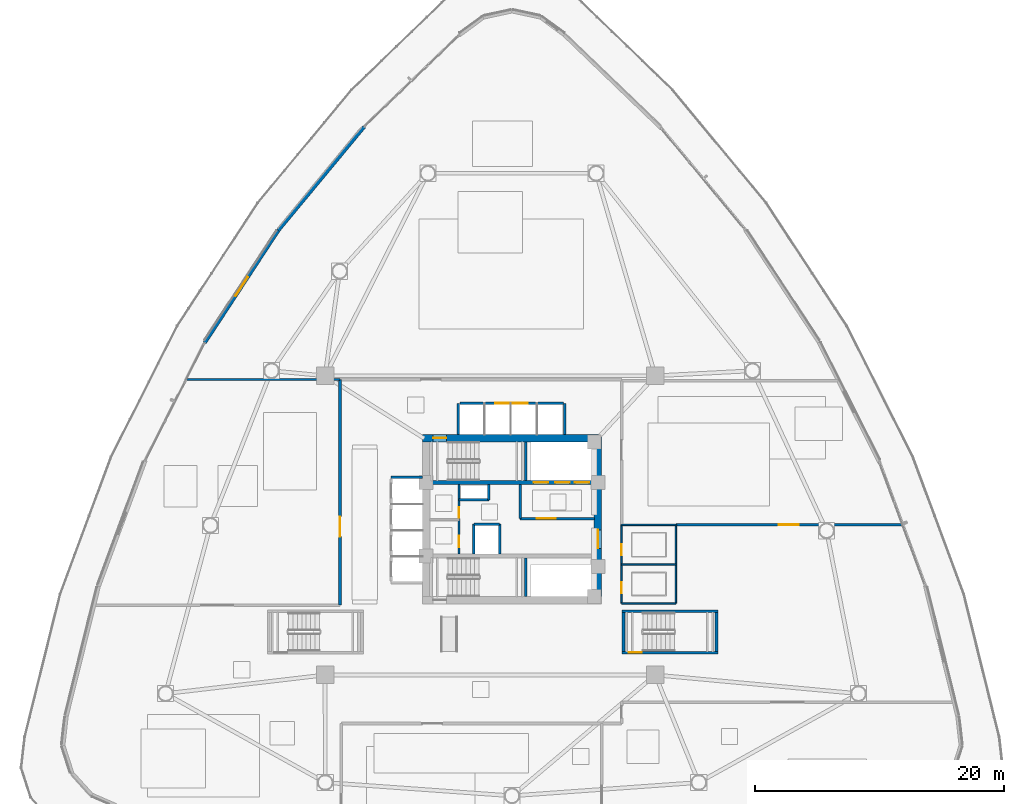
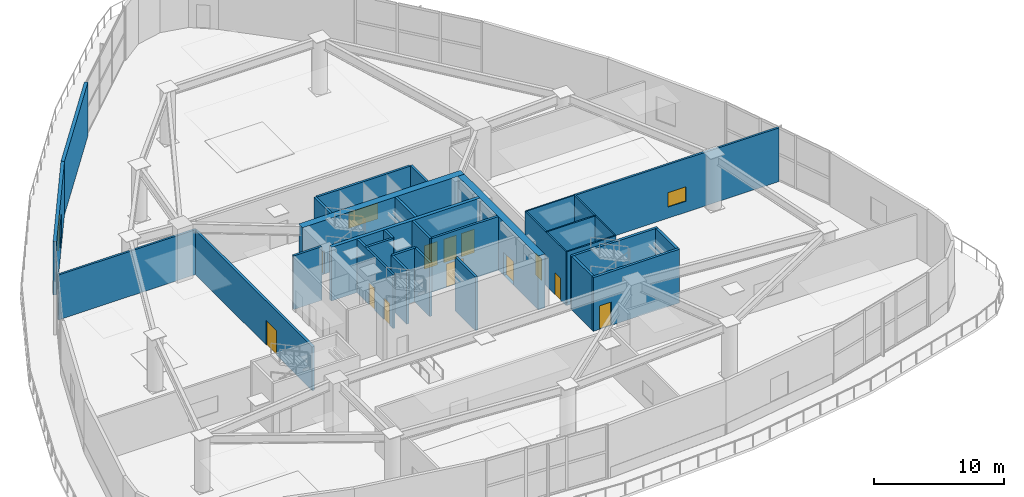
# One storey, part 14 of 25: 31 walls, 12 doors, 3 windows, 15 openings.
"""IFC4 building model written with IfcOpenShell, lengths in metres."""

from ifc_helpers import new_model, si_unit, direction, frame, frame_2d, origin, place, context, subcontext, project, spatial, rectangle, extrude, material, layer, layer_set, type_object, element, fill, save


model = new_model("IFC4")

# Units and contexts
model_context = context("Model", 3, precision=1e-05, world=origin(), true_north=direction((0.0, 1.0)))
body_context = subcontext(model_context, "Body", "Model", "MODEL_VIEW")
ifc_project = project(units=[si_unit("LENGTHUNIT", "METRE"), si_unit("AREAUNIT", "SQUARE_METRE"), si_unit("VOLUMEUNIT", "CUBIC_METRE"), si_unit("PLANEANGLEUNIT", "RADIAN"), si_unit("MASSUNIT", "GRAM", prefix="KILO")], contexts=[model_context])

# Site, building, storey
site_placement = place(None, origin())
site = spatial("IfcSite", under=ifc_project, at=site_placement, CompositionType="ELEMENT")
building_placement = place(site_placement, origin())
building = spatial("IfcBuilding", under=site, at=building_placement, Name="Tavelor Broadcast Tower", CompositionType="ELEMENT")
storey_placement = place(building_placement, frame((0.0, 0.0, 11.39990234375)))
storey = spatial("IfcBuildingStorey", under=building, at=storey_placement, Name="L02", CompositionType="ELEMENT", Elevation=11.39990234375)

# Wall, opening, door
ifc_material_1 = material(Name="Concrete C60/75", Category="concrete")
ifc_layer_1 = layer(ifc_material_1, 0.60009765625)
ifc_layer_set_1 = layer_set([ifc_layer_1], Name="Concrete C60/75")
wall_type_1 = type_object("IfcWallType", Name="Core Shear Wall 600 mm", PredefinedType="SHEAR", material=ifc_layer_set_1)
wall_1_placement = place(storey_placement, frame((42.800048828125, 51.5, 0.0), z_axis=(0.0, 0.0, 1.0), x_axis=(1.0, 0.0, 0.0)))
wall_1 = element("IfcWall", 1, at=wall_1_placement, inside=storey, type_object=wall_type_1, Name="L02 Central Core Shear Wall N", PredefinedType="SHEAR", context=body_context, shape_type="SweptSolid", body=[
    extrude(rectangle(XDim=14.39990234375, YDim=0.60009765625, at=frame_2d((7.199951171875, 0.0))), origin(), (0.0, 0.0, 1.0), 5.050048828125),
])
opening_1_placement = place(wall_1_placement, frame((0.8798828125, 0.0, 0.0)))
opening_1 = element("IfcOpeningElement", 2, at=opening_1_placement, cuts=wall_1, Name="Opening DR11", PredefinedType="OPENING", context=body_context, shape_type="SweptSolid", body=[
    extrude(rectangle(XDim=1.050048828125, YDim=2.199951171875, at=frame_2d((0.52490234375, 1.10009765625))), frame((0.0, 0.31005859375, 0.0), z_axis=(0.0, -1.0, 0.0), x_axis=(1.0, 0.0, 0.0)), (0.0, 0.0, 1.0), 0.6201171875),
])
ifc_material_2 = material(Name="Steel S355", Category="steel")
door_type_1 = type_object("IfcDoorType", Name="Stair Core Fire Escape Door 1050x2200", OperationType="NOTDEFINED", PredefinedType="DOOR", material=ifc_material_2)
door_1_placement = place(opening_1_placement, origin())
door_1 = element("IfcDoor", 3, at=door_1_placement, inside=storey, type_object=door_type_1, Name="L02 Stair ST1 Protected Exit Door", OperationType="SINGLE_SWING_LEFT", OverallHeight=2.199951171875, OverallWidth=1.050048828125, PredefinedType="DOOR", context=body_context, shape_type="SweptSolid", body=[
    extrude(rectangle(XDim=1.050048828125, YDim=2.199951171875, at=frame_2d((0.52490234375, 1.10009765625))), frame((0.0, 0.02490234375, 0.0), z_axis=(0.0, -1.0, 0.0), x_axis=(1.0, 0.0, 0.0)), (0.0, 0.0, 1.0), 0.050048828125),
])
fill(opening_1, door_1)

wall_2_placement = place(storey_placement, frame((56.89990234375, 38.800048828125, 0.0), z_axis=(0.0, 0.0, 1.0), x_axis=(0.0, 1.0, 0.0)))
wall_2 = element("IfcWall", 4, at=wall_2_placement, inside=storey, type_object=wall_type_1, Name="L02 Central Core Shear Wall E", PredefinedType="SHEAR", context=body_context, shape_type="SweptSolid", body=[
    extrude(rectangle(XDim=12.39990234375, YDim=0.60009765625, at=frame_2d((6.199951171875, 0.0))), origin(), (0.0, 0.0, 1.0), 5.050048828125),
])
opening_2_placement = place(wall_2_placement, frame((3.85009765625, 0.0, 0.0)))
opening_2 = element("IfcOpeningElement", 5, at=opening_2_placement, cuts=wall_2, Name="Opening DR14", PredefinedType="OPENING", context=body_context, shape_type="SweptSolid", body=[
    extrude(rectangle(XDim=1.5, YDim=2.199951171875, at=frame_2d((0.75, 1.10009765625))), frame((0.0, 0.31005859375, 0.0), z_axis=(0.0, -1.0, 0.0), x_axis=(1.0, 0.0, 0.0)), (0.0, 0.0, 1.0), 0.6201171875),
])
door_type_2 = type_object("IfcDoorType", Name="Firefighting Lobby Double Fire Door 1500x2200", OperationType="NOTDEFINED", PredefinedType="DOOR", material=ifc_material_2)
door_2_placement = place(opening_2_placement, origin())
door_2 = element("IfcDoor", 6, at=door_2_placement, inside=storey, type_object=door_type_2, Name="L02 Central Core Lobby Fire Door", OperationType="SINGLE_SWING_LEFT", OverallHeight=2.199951171875, OverallWidth=1.5, PredefinedType="DOOR", context=body_context, shape_type="SweptSolid", body=[
    extrude(rectangle(XDim=1.5, YDim=2.199951171875, at=frame_2d((0.75, 1.10009765625))), frame((0.0, 0.02490234375, 0.0), z_axis=(0.0, -1.0, 0.0), x_axis=(1.0, 0.0, 0.0)), (0.0, 0.0, 1.0), 0.050048828125),
])
fill(opening_2, door_2)

# Wall, openings, doors
ifc_layer_2 = layer(ifc_material_1, 0.300048828125)
ifc_layer_set_2 = layer_set([ifc_layer_2], Name="Concrete C60/75")
wall_type_2 = type_object("IfcWallType", Name="Core Spine Shear Wall 300 mm C60", PredefinedType="SHEAR", material=ifc_layer_set_2)
wall_3_placement = place(storey_placement, frame((43.39990234375, 47.949951171875, 0.0), z_axis=(0.0, 0.0, 1.0), x_axis=(1.0, 0.0, 0.0)))
wall_3 = element("IfcWall", 7, at=wall_3_placement, inside=storey, type_object=wall_type_2, Name="L02 Central Core Shear Wall SP1", PredefinedType="SHEAR", context=body_context, shape_type="SweptSolid", body=[
    extrude(rectangle(XDim=13.2001953125, YDim=0.300048828125, at=frame_2d((6.60009765625, 0.0))), origin(), (0.0, 0.0, 1.0), 5.050048828125),
])
opening_3_placement = place(wall_3_placement, frame((8.344970703125, 0.0, 0.0)))
opening_3 = element("IfcOpeningElement", 8, at=opening_3_placement, cuts=wall_3, Name="Opening LD02", PredefinedType="OPENING", context=body_context, shape_type="SweptSolid", body=[
    extrude(rectangle(XDim=1.14990234375, YDim=2.199951171875, at=frame_2d((0.574951171875, 1.10009765625))), frame((0.0, 0.16015625, 0.0), z_axis=(0.0, -1.0, 0.0), x_axis=(1.0, 0.0, 0.0)), (0.0, 0.0, 1.0), 0.320068359375),
])
opening_4_placement = place(wall_3_placement, frame((10.06494140625, 0.0, 0.0)))
opening_4 = element("IfcOpeningElement", 9, at=opening_4_placement, cuts=wall_3, Name="Opening LD02", PredefinedType="OPENING", context=body_context, shape_type="SweptSolid", body=[
    extrude(rectangle(XDim=1.14990234375, YDim=2.199951171875, at=frame_2d((0.574951171875, 1.10009765625))), frame((0.0, 0.16015625, 0.0), z_axis=(0.0, -1.0, 0.0), x_axis=(1.0, 0.0, 0.0)), (0.0, 0.0, 1.0), 0.320068359375),
])
opening_5_placement = place(wall_3_placement, frame((11.64501953125, 0.0, 0.0)))
opening_5 = element("IfcOpeningElement", 10, at=opening_5_placement, cuts=wall_3, Name="Opening LD03", PredefinedType="OPENING", context=body_context, shape_type="SweptSolid", body=[
    extrude(rectangle(XDim=1.14990234375, YDim=2.199951171875, at=frame_2d((0.574951171875, 1.10009765625))), frame((0.0, 0.16015625, 0.0), z_axis=(0.0, -1.0, 0.0), x_axis=(1.0, 0.0, 0.0)), (0.0, 0.0, 1.0), 0.320068359375),
])
ifc_material_3 = material(Name="Reinforced Brushed Stainless Steel", Category="concrete")
door_type_3 = type_object("IfcDoorType", Name="Broadcast Goods Lift Sliding Landing Door 1250x2200", OperationType="NOTDEFINED", PredefinedType="DOOR", material=ifc_material_3)
door_3_placement = place(opening_5_placement, origin())
door_3 = element("IfcDoor", 11, at=door_3_placement, inside=storey, type_object=door_type_3, Name="L02 Lift SVL1 Sliding Landing Door", OperationType="SLIDING_TO_LEFT", OverallHeight=2.199951171875, OverallWidth=1.14990234375, PredefinedType="DOOR", context=body_context, shape_type="SweptSolid", body=[
    extrude(rectangle(XDim=1.14990234375, YDim=2.199951171875, at=frame_2d((0.574951171875, 1.10009765625))), frame((0.0, 0.02490234375, 0.0), z_axis=(0.0, -1.0, 0.0), x_axis=(1.0, 0.0, 0.0)), (0.0, 0.0, 1.0), 0.050048828125),
])
fill(opening_5, door_3)
ifc_material_4 = material(Name="Fire-Rated Stainless Steel", Category="steel")
door_type_4 = type_object("IfcDoorType", Name="Firefighting Lift Sliding Landing Door 1200x2200", OperationType="NOTDEFINED", PredefinedType="DOOR", material=ifc_material_4)
door_4_placement = place(opening_3_placement, origin())
door_4 = element("IfcDoor", 12, at=door_4_placement, inside=storey, type_object=door_type_4, Name="L02 Lift FFL1 Sliding Landing Door", OperationType="SLIDING_TO_LEFT", OverallHeight=2.199951171875, OverallWidth=1.14990234375, PredefinedType="DOOR", context=body_context, shape_type="SweptSolid", body=[
    extrude(rectangle(XDim=1.14990234375, YDim=2.199951171875, at=frame_2d((0.574951171875, 1.10009765625))), frame((0.0, 0.02490234375, 0.0), z_axis=(0.0, -1.0, 0.0), x_axis=(1.0, 0.0, 0.0)), (0.0, 0.0, 1.0), 0.050048828125),
])
fill(opening_3, door_4)
door_5_placement = place(opening_4_placement, origin())
door_5 = element("IfcDoor", 13, at=door_5_placement, inside=storey, type_object=door_type_4, Name="L02 Lift FFL2 Sliding Landing Door", OperationType="SLIDING_TO_LEFT", OverallHeight=2.199951171875, OverallWidth=1.14990234375, PredefinedType="DOOR", context=body_context, shape_type="SweptSolid", body=[
    extrude(rectangle(XDim=1.14990234375, YDim=2.199951171875, at=frame_2d((0.574951171875, 1.10009765625))), frame((0.0, 0.02490234375, 0.0), z_axis=(0.0, -1.0, 0.0), x_axis=(1.0, 0.0, 0.0)), (0.0, 0.0, 1.0), 0.050048828125),
])
fill(opening_4, door_5)

ifc_material_5 = material(Name="Calcium Silicate Fire Board 180 mm", Category="gypsum")
ifc_layer_3 = layer(ifc_material_5, 0.179931640625)
ifc_layer_set_3 = layer_set([ifc_layer_3], Name="Calcium Silicate Fire Board 180 mm")
wall_type_3 = type_object("IfcWallType", Name="Fire-Rated Corridor Partition Wall 180 mm", PredefinedType="PARTITIONING", material=ifc_layer_set_3)
wall_4_placement = place(storey_placement, frame((45.75, 42.199951171875, 0.0), z_axis=(0.0, 0.0, 1.0), x_axis=(0.0, 1.0, 0.0)))
wall_4 = element("IfcWall", 14, at=wall_4_placement, inside=storey, type_object=wall_type_3, Name="L02 Core West Service East Wall", PredefinedType="PARTITIONING", context=body_context, shape_type="SweptSolid", body=[
    extrude(rectangle(XDim=5.60009765625, YDim=0.179931640625, at=frame_2d((2.800048828125, 0.0))), origin(), (0.0, 0.0, 1.0), 5.050048828125),
])
opening_6_placement = place(wall_4_placement, frame((0.550048828125, 0.0, 0.0)))
opening_6 = element("IfcOpeningElement", 15, at=opening_6_placement, cuts=wall_4, Name="Opening DR32", PredefinedType="OPENING", context=body_context, shape_type="SweptSolid", body=[
    extrude(rectangle(XDim=0.89990234375, YDim=2.050048828125, at=frame_2d((0.449951171875, 1.02490234375))), frame((0.0, 0.10009765625, 0.0), z_axis=(0.0, -1.0, 0.0), x_axis=(1.0, 0.0, 0.0)), (0.0, 0.0, 1.0), 0.199951171875),
])
opening_7_placement = place(wall_4_placement, frame((2.89990234375, 0.0, 0.0)))
opening_7 = element("IfcOpeningElement", 16, at=opening_7_placement, cuts=wall_4, Name="Opening DR36", PredefinedType="OPENING", context=body_context, shape_type="SweptSolid", body=[
    extrude(rectangle(XDim=0.85009765625, YDim=2.050048828125, at=frame_2d((0.425048828125, 1.02490234375))), frame((0.0, 0.10009765625, 0.0), z_axis=(0.0, -1.0, 0.0), x_axis=(1.0, 0.0, 0.0)), (0.0, 0.0, 1.0), 0.199951171875),
])
ifc_material_6 = material(Name="Timber Solid Core Hardwood", Category="wood")
door_type_5 = type_object("IfcDoorType", Name="Accessible Washroom Door 900x2050", OperationType="NOTDEFINED", PredefinedType="DOOR", material=ifc_material_6)
door_6_placement = place(opening_6_placement, origin())
door_6 = element("IfcDoor", 17, at=door_6_placement, inside=storey, type_object=door_type_5, Name="L02 Core Accessible WC Door", OperationType="SINGLE_SWING_LEFT", OverallHeight=2.050048828125, OverallWidth=0.89990234375, PredefinedType="DOOR", context=body_context, shape_type="SweptSolid", body=[
    extrude(rectangle(XDim=0.89990234375, YDim=2.050048828125, at=frame_2d((0.449951171875, 1.02490234375))), frame((0.0, 0.02490234375, 0.0), z_axis=(0.0, -1.0, 0.0), x_axis=(1.0, 0.0, 0.0)), (0.0, 0.0, 1.0), 0.050048828125),
])
fill(opening_6, door_6)
door_type_6 = type_object("IfcDoorType", Name="Service Room Fire Door 850x2050", OperationType="NOTDEFINED", PredefinedType="DOOR", material=ifc_material_2)
door_7_placement = place(opening_7_placement, origin())
door_7 = element("IfcDoor", 18, at=door_7_placement, inside=storey, type_object=door_type_6, Name="L02 Core Cleaner Store Door", OperationType="SINGLE_SWING_RIGHT", OverallHeight=2.050048828125, OverallWidth=0.85009765625, PredefinedType="DOOR", context=body_context, shape_type="SweptSolid", body=[
    extrude(rectangle(XDim=0.85009765625, YDim=2.050048828125, at=frame_2d((0.425048828125, 1.02490234375))), frame((0.0, 0.02490234375, 0.0), z_axis=(0.0, -1.0, 0.0), x_axis=(1.0, 0.0, 0.0)), (0.0, 0.0, 1.0), 0.050048828125),
])
fill(opening_7, door_7)

# Wall
wall_5_placement = place(storey_placement, frame((23.91162109375, 56.199951171875, 0.0), z_axis=(0.0, 0.0, 1.0), x_axis=(1.0, 0.0, 0.0)))
element("IfcWall", 19, at=wall_5_placement, inside=storey, type_object=wall_type_3, Name="L02 West Hall North Wall", PredefinedType="PARTITIONING", context=body_context, shape_type="SweptSolid", body=[
    extrude(rectangle(XDim=12.288330078125, YDim=0.179931640625, at=frame_2d((6.14404296875, 0.0))), origin(), (0.0, 0.0, 1.0), 4.22509765625),
])

# Wall, opening, window
wall_6_placement = place(storey_placement, frame((63.14990234375, 44.550048828125, 0.0), z_axis=(0.0, 0.0, 1.0), x_axis=(1.0, 0.0, 0.0)))
wall_6 = element("IfcWall", 20, at=wall_6_placement, inside=storey, type_object=wall_type_3, Name="L02 East Room South Wall", PredefinedType="PARTITIONING", context=body_context, shape_type="SweptSolid", body=[
    extrude(rectangle(XDim=18.1396484375, YDim=0.179931640625, at=frame_2d((9.06982421875, 0.0))), origin(), (0.0, 0.0, 1.0), 5.050048828125),
])
opening_8_placement = place(wall_6_placement, frame((8.269775390625, 0.0, 1.050048828125)))
opening_8 = element("IfcOpeningElement", 21, at=opening_8_placement, cuts=wall_6, Name="Opening WN05", PredefinedType="OPENING", context=body_context, shape_type="SweptSolid", body=[
    extrude(rectangle(XDim=1.60009765625, YDim=1.35009765625, at=frame_2d((0.800048828125, 0.675048828125))), frame((0.0, 0.10009765625, 0.0), z_axis=(0.0, -1.0, 0.0), x_axis=(1.0, 0.0, 0.0)), (0.0, 0.0, 1.0), 0.199951171875),
])
ifc_material_7 = material(Name="Acoustic Double Glazing 28 mm", Category="glass")
window_type_1 = type_object("IfcWindowType", Name="Audio Booth Acoustic Observation Window 1600x1350", PartitioningType="SINGLE_PANEL", PredefinedType="WINDOW", material=ifc_material_7)
window_1_placement = place(opening_8_placement, origin())
window_1 = element("IfcWindow", 22, at=window_1_placement, inside=storey, type_object=window_type_1, Name="L02 Studio Acoustic Observation Window 014", OverallHeight=1.35009765625, OverallWidth=1.60009765625, PartitioningType="SINGLE_PANEL", PredefinedType="WINDOW", context=body_context, shape_type="SweptSolid", body=[
    extrude(rectangle(XDim=1.60009765625, YDim=1.35009765625, at=frame_2d((0.800048828125, 0.675048828125))), frame((0.0, 0.030029296875, 0.0), z_axis=(0.0, -1.0, 0.0), x_axis=(1.0, 0.0, 0.0)), (0.0, 0.0, 1.0), 0.06005859375),
])
fill(opening_8, window_1)

# Wall
ifc_material_8 = material(Name="Precast Concrete C40/50", Category="concrete")
ifc_layer_4 = layer(ifc_material_8, 0.280029296875)
ifc_layer_set_4 = layer_set([ifc_layer_4], Name="Precast Concrete C40/50")
wall_type_4 = type_object("IfcWallType", Name="Insulated Precast Terracotta Facade Wall 280 mm", PredefinedType="STANDARD", material=ifc_layer_set_4)
wall_7_placement = place(storey_placement, frame((38.143310546875, 76.486083984375, 0.0), z_axis=(0.0, 0.0, 1.0), x_axis=(-0.638079864094, -0.769970185811, 0.0)))
element("IfcWall", 23, at=wall_7_placement, inside=storey, type_object=wall_type_4, Name="L02 Precast Terracotta Facade Wall 06", PredefinedType="STANDARD", context=body_context, shape_type="SweptSolid", body=[
    extrude(rectangle(XDim=10.806640625, YDim=0.280029296875, at=frame_2d((5.4033203125, 0.0))), origin(), (0.0, 0.0, 1.0), 5.050048828125),
])

# Wall, opening, window
wall_8_placement = place(storey_placement, frame((31.265625, 68.189453125, 0.0), z_axis=(0.0, 0.0, 1.0), x_axis=(-0.547794036088, -0.836613228456, 0.0)))
wall_8 = element("IfcWall", 24, at=wall_8_placement, inside=storey, type_object=wall_type_4, Name="L02 Precast Terracotta Facade Wall 07", PredefinedType="STANDARD", context=body_context, shape_type="SweptSolid", body=[
    extrude(rectangle(XDim=10.806396484375, YDim=0.280029296875, at=frame_2d((5.4033203125, 0.0))), origin(), (0.0, 0.0, 1.0), 5.050048828125),
])
opening_9_placement = place(wall_8_placement, frame((4.503173828125, 0.0, 1.0)))
opening_9 = element("IfcOpeningElement", 25, at=opening_9_placement, cuts=wall_8, Name="Opening WN11", PredefinedType="OPENING", context=body_context, shape_type="SweptSolid", body=[
    extrude(rectangle(XDim=1.800048828125, YDim=2.199951171875, at=frame_2d((0.89990234375, 1.10009765625))), frame((0.0, 0.14990234375, 0.0), z_axis=(0.0, -1.0, 0.0), x_axis=(1.0, 0.0, 0.0)), (0.0, 0.0, 1.0), 0.300048828125),
])
window_type_2 = type_object("IfcWindowType", Name="Podium Studio Acoustic Punched Window 1800x2200", PartitioningType="SINGLE_PANEL", PredefinedType="WINDOW", material=ifc_material_7)
window_2_placement = place(opening_9_placement, origin())
window_2 = element("IfcWindow", 26, at=window_2_placement, inside=storey, type_object=window_type_2, Name="L02 Broadcast Facade Window 07", OverallHeight=2.199951171875, OverallWidth=1.800048828125, PartitioningType="SINGLE_PANEL", PredefinedType="WINDOW", context=body_context, shape_type="SweptSolid", body=[
    extrude(rectangle(XDim=1.800048828125, YDim=2.199951171875, at=frame_2d((0.89990234375, 1.10009765625))), frame((0.0, 0.030029296875, 0.0), z_axis=(0.0, -1.0, 0.0), x_axis=(1.0, 0.0, 0.0)), (0.0, 0.0, 1.0), 0.06005859375),
])
fill(opening_9, window_2)

# Wall
ifc_material_9 = material(Name="Concrete Blockwork 200 mm", Category="masonry")
ifc_layer_5 = layer(ifc_material_9, 0.199951171875)
ifc_layer_set_5 = layer_set([ifc_layer_5], Name="Concrete Blockwork 200 mm")
wall_type_5 = type_object("IfcWallType", Name="Lift Hoistway Rated Front Wall 200 mm", PredefinedType="PARTITIONING", material=ifc_layer_set_5)
wall_9_placement = place(storey_placement, frame((49.0, 42.199951171875, 0.0), z_axis=(0.0, 0.0, 1.0), x_axis=(0.0, 1.0, 0.0)))
element("IfcWall", 27, at=wall_9_placement, inside=storey, type_object=wall_type_5, Name="L02 Mid-Rise Lift PLM4 Hoistway Front Wall", PredefinedType="PARTITIONING", context=body_context, shape_type="SweptSolid", body=[
    extrude(rectangle(XDim=2.400146484375, YDim=0.199951171875, at=frame_2d((1.2001953125, 0.0))), origin(), (0.0, 0.0, 1.0), 5.050048828125),
])

# Wall, opening, window
wall_10_placement = place(storey_placement, frame((45.820068359375, 54.300048828125, 0.0), z_axis=(0.0, 0.0, 1.0), x_axis=(1.0, 0.0, 0.0)))
wall_10 = element("IfcWall", 28, at=wall_10_placement, inside=storey, type_object=wall_type_5, Name="L02 High-Rise Lift Hoistway Front Wall", PredefinedType="PARTITIONING", context=body_context, shape_type="SweptSolid", body=[
    extrude(rectangle(XDim=8.309814453125, YDim=0.199951171875, at=frame_2d((4.15478515625, 0.0))), origin(), (0.0, 0.0, 1.0), 5.050048828125),
])
opening_10_placement = place(wall_10_placement, frame((2.85498046875, 0.0, 1.050048828125)))
opening_10 = element("IfcOpeningElement", 29, at=opening_10_placement, cuts=wall_10, Name="Opening WN04", PredefinedType="OPENING", context=body_context, shape_type="SweptSolid", body=[
    extrude(rectangle(XDim=2.60009765625, YDim=1.5, at=frame_2d((1.300048828125, 0.75))), frame((0.0, 0.10986328125, 0.0), z_axis=(0.0, -1.0, 0.0), x_axis=(1.0, 0.0, 0.0)), (0.0, 0.0, 1.0), 0.219970703125),
])
window_type_3 = type_object("IfcWindowType", Name="Studio Control Gallery Triple-Glazed Observation Window 2600x1500", PartitioningType="SINGLE_PANEL", PredefinedType="WINDOW", material=ifc_material_7)
window_3_placement = place(opening_10_placement, origin())
window_3 = element("IfcWindow", 30, at=window_3_placement, inside=storey, type_object=window_type_3, Name="L02 Studio Acoustic Observation Window 015", OverallHeight=1.5, OverallWidth=2.60009765625, PartitioningType="SINGLE_PANEL", PredefinedType="WINDOW", context=body_context, shape_type="SweptSolid", body=[
    extrude(rectangle(XDim=2.60009765625, YDim=1.5, at=frame_2d((1.300048828125, 0.75))), frame((0.0, 0.030029296875, 0.0), z_axis=(0.0, -1.0, 0.0), x_axis=(1.0, 0.0, 0.0)), (0.0, 0.0, 1.0), 0.06005859375),
])
fill(opening_10, window_3)

# Walls
ifc_layer_6 = layer(ifc_material_9, 0.199951171875)
ifc_layer_set_6 = layer_set([ifc_layer_6], Name="Concrete Blockwork 200 mm")
wall_type_6 = type_object("IfcWallType", Name="Lift and Riser Shaft Enclosure Wall 200 mm", PredefinedType="PARTITIONING", material=ifc_layer_set_6)
for number, where, z_axis, x_axis, name in (
    (31, (40.300048828125, 48.35009765625, 0.0), (0.0, 0.0, 1.0), (1.0, 0.0, 0.0), "L02 Low-Rise Lift Shaft North Wall"),
    (32, (45.699951171875, 51.800048828125, 0.0), (0.0, 0.0, 1.0), (0.0, 1.0, 0.0), "L02 High-Rise Lift Shaft West Wall"),
    (33, (54.25, 51.800048828125, 0.0), (0.0, 0.0, 1.0), (0.0, 1.0, 0.0), "L02 High-Rise Lift Shaft East Wall"),
):
    element("IfcWall", number, at=place(storey_placement, frame(where, z_axis=z_axis, x_axis=x_axis)), inside=storey, type_object=wall_type_6, Name=name, PredefinedType="PARTITIONING", context=body_context, shape_type="SweptSolid", body=[
        extrude(rectangle(XDim=2.5, YDim=0.199951171875, at=frame_2d((1.25, 0.0))), origin(), (0.0, 0.0, 1.0), 5.050048828125),
    ])
wall_11_placement = place(storey_placement, frame((45.75, 46.550048828125, 0.0), z_axis=(0.0, 0.0, 1.0), x_axis=(1.0, 0.0, 0.0)))
element("IfcWall", 34, at=wall_11_placement, inside=storey, type_object=wall_type_6, Name="L02 Riser Shaft South Wall", PredefinedType="PARTITIONING", context=body_context, shape_type="SweptSolid", body=[
    extrude(rectangle(XDim=2.39990234375, YDim=0.199951171875, at=frame_2d((1.199951171875, 0.0))), origin(), (0.0, 0.0, 1.0), 5.050048828125),
])
wall_12_placement = place(storey_placement, frame((48.14990234375, 46.550048828125, 0.0), z_axis=(0.0, 0.0, 1.0), x_axis=(0.0, 1.0, 0.0)))
element("IfcWall", 35, at=wall_12_placement, inside=storey, type_object=wall_type_6, Name="L02 Riser Shaft East Wall", PredefinedType="PARTITIONING", context=body_context, shape_type="SweptSolid", body=[
    extrude(rectangle(XDim=1.25, YDim=0.199951171875, at=frame_2d((0.625, 0.0))), origin(), (0.0, 0.0, 1.0), 5.050048828125),
])
wall_13_placement = place(storey_placement, frame((46.949951171875, 42.199951171875, 0.0), z_axis=(0.0, 0.0, 1.0), x_axis=(0.0, 1.0, 0.0)))
element("IfcWall", 36, at=wall_13_placement, inside=storey, type_object=wall_type_6, Name="L02 Mid-Rise Lift PLM4 West Wall", PredefinedType="PARTITIONING", context=body_context, shape_type="SweptSolid", body=[
    extrude(rectangle(XDim=2.400146484375, YDim=0.199951171875, at=frame_2d((1.2001953125, 0.0))), origin(), (0.0, 0.0, 1.0), 5.050048828125),
])
wall_14_placement = place(storey_placement, frame((46.949951171875, 44.60009765625, 0.0), z_axis=(0.0, 0.0, 1.0), x_axis=(1.0, 0.0, 0.0)))
element("IfcWall", 37, at=wall_14_placement, inside=storey, type_object=wall_type_6, Name="L02 Mid-Rise Lift PLM4 North Wall", PredefinedType="PARTITIONING", context=body_context, shape_type="SweptSolid", body=[
    extrude(rectangle(XDim=2.050048828125, YDim=0.199951171875, at=frame_2d((1.02490234375, 0.0))), origin(), (0.0, 0.0, 1.0), 5.050048828125),
])

# Wall, opening, door
wall_15_placement = place(storey_placement, frame((50.64990234375, 45.050048828125, 0.0), z_axis=(0.0, 0.0, 1.0), x_axis=(1.0, 0.0, 0.0)))
wall_15 = element("IfcWall", 38, at=wall_15_placement, inside=storey, type_object=wall_type_6, Name="L02 Firefighting Lobby South Wall", PredefinedType="PARTITIONING", context=body_context, shape_type="SweptSolid", body=[
    extrude(rectangle(XDim=5.9501953125, YDim=0.199951171875, at=frame_2d((2.97509765625, 0.0))), origin(), (0.0, 0.0, 1.0), 5.050048828125),
])
opening_11_placement = place(wall_15_placement, frame((1.35009765625, 0.0, 0.0)))
opening_11 = element("IfcOpeningElement", 39, at=opening_11_placement, cuts=wall_15, Name="Opening DR14", PredefinedType="OPENING", context=body_context, shape_type="SweptSolid", body=[
    extrude(rectangle(XDim=1.5, YDim=2.199951171875, at=frame_2d((0.75, 1.10009765625))), frame((0.0, 0.10986328125, 0.0), z_axis=(0.0, -1.0, 0.0), x_axis=(1.0, 0.0, 0.0)), (0.0, 0.0, 1.0), 0.219970703125),
])
door_8_placement = place(opening_11_placement, origin())
door_8 = element("IfcDoor", 40, at=door_8_placement, inside=storey, type_object=door_type_2, Name="L02 Firefighting Lobby Compartment Door", OperationType="SINGLE_SWING_RIGHT", OverallHeight=2.199951171875, OverallWidth=1.5, PredefinedType="DOOR", context=body_context, shape_type="SweptSolid", body=[
    extrude(rectangle(XDim=1.5, YDim=2.199951171875, at=frame_2d((0.75, 1.10009765625))), frame((0.0, 0.02490234375, 0.0), z_axis=(0.0, -1.0, 0.0), x_axis=(1.0, 0.0, 0.0)), (0.0, 0.0, 1.0), 0.050048828125),
])
fill(opening_11, door_8)

# Wall
wall_16_placement = place(storey_placement, frame((50.64990234375, 45.050048828125, 0.0), z_axis=(0.0, 0.0, 1.0), x_axis=(0.0, 1.0, 0.0)))
element("IfcWall", 41, at=wall_16_placement, inside=storey, type_object=wall_type_6, Name="L02 Firefighting Lobby West Wall", PredefinedType="PARTITIONING", context=body_context, shape_type="SweptSolid", body=[
    extrude(rectangle(XDim=2.75, YDim=0.199951171875, at=frame_2d((1.375, 0.0))), origin(), (0.0, 0.0, 1.0), 5.050048828125),
])

# Wall, openings, doors
ifc_material_10 = material(Name="Moisture-Resistant Plasterboard 120 mm", Category="gypsum")
ifc_layer_7 = layer(ifc_material_10, 0.1201171875)
ifc_layer_set_7 = layer_set([ifc_layer_7], Name="Moisture-Resistant Plasterboard 120 mm")
wall_type_7 = type_object("IfcWallType", Name="Moisture-Resistant Wet-Room Partition 120 mm", PredefinedType="PARTITIONING", material=ifc_layer_set_7)
wall_17_placement = place(storey_placement, frame((58.800048828125, 38.25, 0.0), z_axis=(0.0, 0.0, 1.0), x_axis=(0.0, 1.0, 0.0)))
wall_17 = element("IfcWall", 42, at=wall_17_placement, inside=storey, type_object=wall_type_7, Name="L02 Podium WC West Wall", PredefinedType="PARTITIONING", context=body_context, shape_type="SweptSolid", body=[
    extrude(rectangle(XDim=6.300048828125, YDim=0.1201171875, at=frame_2d((3.14990234375, 0.0))), origin(), (0.0, 0.0, 1.0), 5.050048828125),
])
opening_12_placement = place(wall_17_placement, frame((0.800048828125, 0.0, 0.0)))
opening_12 = element("IfcOpeningElement", 43, at=opening_12_placement, cuts=wall_17, Name="Opening DR32", PredefinedType="OPENING", context=body_context, shape_type="SweptSolid", body=[
    extrude(rectangle(XDim=0.89990234375, YDim=2.050048828125, at=frame_2d((0.449951171875, 1.02490234375))), frame((0.0, 0.070068359375, 0.0), z_axis=(0.0, -1.0, 0.0), x_axis=(1.0, 0.0, 0.0)), (0.0, 0.0, 1.0), 0.14013671875),
])
opening_13_placement = place(wall_17_placement, frame((3.85009765625, 0.0, 0.0)))
opening_13 = element("IfcOpeningElement", 44, at=opening_13_placement, cuts=wall_17, Name="Opening DR32", PredefinedType="OPENING", context=body_context, shape_type="SweptSolid", body=[
    extrude(rectangle(XDim=0.89990234375, YDim=2.050048828125, at=frame_2d((0.449951171875, 1.02490234375))), frame((0.0, 0.070068359375, 0.0), z_axis=(0.0, -1.0, 0.0), x_axis=(1.0, 0.0, 0.0)), (0.0, 0.0, 1.0), 0.14013671875),
])
door_9_placement = place(opening_12_placement, origin())
door_9 = element("IfcDoor", 45, at=door_9_placement, inside=storey, type_object=door_type_5, Name="L02 Public Washroom WC Door", OperationType="SINGLE_SWING_RIGHT", OverallHeight=2.050048828125, OverallWidth=0.89990234375, PredefinedType="DOOR", context=body_context, shape_type="SweptSolid", body=[
    extrude(rectangle(XDim=0.89990234375, YDim=2.050048828125, at=frame_2d((0.449951171875, 1.02490234375))), frame((0.0, 0.02490234375, 0.0), z_axis=(0.0, -1.0, 0.0), x_axis=(1.0, 0.0, 0.0)), (0.0, 0.0, 1.0), 0.050048828125),
])
fill(opening_12, door_9)
door_10_placement = place(opening_13_placement, origin())
door_10 = element("IfcDoor", 46, at=door_10_placement, inside=storey, type_object=door_type_5, Name="L02 Accessible WC Door", OperationType="SINGLE_SWING_LEFT", OverallHeight=2.050048828125, OverallWidth=0.89990234375, PredefinedType="DOOR", context=body_context, shape_type="SweptSolid", body=[
    extrude(rectangle(XDim=0.89990234375, YDim=2.050048828125, at=frame_2d((0.449951171875, 1.02490234375))), frame((0.0, 0.02490234375, 0.0), z_axis=(0.0, -1.0, 0.0), x_axis=(1.0, 0.0, 0.0)), (0.0, 0.0, 1.0), 0.050048828125),
])
fill(opening_13, door_10)

# Walls
for number, where, z_axis, x_axis, name in (
    (47, (58.800048828125, 38.25, 0.0), (0.0, 0.0, 1.0), (1.0, 0.0, 0.0), "L02 Podium WC South Wall"),
    (48, (58.800048828125, 41.35009765625, 0.0), (0.0, 0.0, 1.0), (1.0, 0.0, 0.0), "L02 Podium WC Divider Wall"),
    (49, (58.800048828125, 44.550048828125, 0.0), (0.0, 0.0, 1.0), (1.0, 0.0, 0.0), "L02 Podium WC North Wall"),
):
    element("IfcWall", number, at=place(storey_placement, frame(where, z_axis=z_axis, x_axis=x_axis)), inside=storey, type_object=wall_type_7, Name=name, PredefinedType="PARTITIONING", context=body_context, shape_type="SweptSolid", body=[
        extrude(rectangle(XDim=4.349853515625, YDim=0.1201171875, at=frame_2d((2.1748046875, 0.0))), origin(), (0.0, 0.0, 1.0), 5.050048828125),
    ])
wall_18_placement = place(storey_placement, frame((63.14990234375, 38.25, 0.0), z_axis=(0.0, 0.0, 1.0), x_axis=(0.0, 1.0, 0.0)))
element("IfcWall", 50, at=wall_18_placement, inside=storey, type_object=wall_type_7, Name="L02 Podium WC East Wall", PredefinedType="PARTITIONING", context=body_context, shape_type="SweptSolid", body=[
    extrude(rectangle(XDim=6.300048828125, YDim=0.1201171875, at=frame_2d((3.14990234375, 0.0))), origin(), (0.0, 0.0, 1.0), 5.050048828125),
])
ifc_material_11 = material(Name="Concrete C40/50", Category="concrete")
ifc_layer_8 = layer(ifc_material_11, 0.219970703125)
ifc_layer_set_8 = layer_set([ifc_layer_8], Name="Concrete C40/50")
wall_type_8 = type_object("IfcWallType", Name="Structural Stairwell Shear Wall 220 mm", PredefinedType="SHEAR", material=ifc_layer_set_8)
for number, where, z_axis, x_axis, name in (
    (51, (51.110107421875, 48.10009765625, 0.0), (0.0, 0.0, 1.0), (0.0, 1.0, 0.0), "L02 Stair ST1 Structural Shaft Wall"),
    (52, (51.110107421875, 38.800048828125, 0.0), (0.0, 0.0, 1.0), (0.0, 1.0, 0.0), "L02 Stair ST2 Structural Shaft Wall"),
):
    element("IfcWall", number, at=place(storey_placement, frame(where, z_axis=z_axis, x_axis=x_axis)), inside=storey, type_object=wall_type_8, Name=name, PredefinedType="SHEAR", context=body_context, shape_type="SweptSolid", body=[
        extrude(rectangle(XDim=3.099853515625, YDim=0.219970703125, at=frame_2d((1.5498046875, 0.0))), origin(), (0.0, 0.0, 1.0), 5.050048828125),
    ])

# Wall, opening, door
wall_19_placement = place(storey_placement, frame((58.830078125, 34.2900390625, 0.0), z_axis=(0.0, 0.0, 1.0), x_axis=(1.0, 0.0, 0.0)))
wall_19 = element("IfcWall", 53, at=wall_19_placement, inside=storey, type_object=wall_type_8, Name="L02 Stair ST4 Structural Shaft Wall S", PredefinedType="SHEAR", context=body_context, shape_type="SweptSolid", body=[
    extrude(rectangle(XDim=7.68994140625, YDim=0.219970703125, at=frame_2d((3.844970703125, 0.0))), origin(), (0.0, 0.0, 1.0), 5.050048828125),
])
opening_14_placement = place(wall_19_placement, frame((0.550048828125, 0.0, 0.0)))
opening_14 = element("IfcOpeningElement", 54, at=opening_14_placement, cuts=wall_19, Name="Opening DR11", PredefinedType="OPENING", context=body_context, shape_type="SweptSolid", body=[
    extrude(rectangle(XDim=1.050048828125, YDim=2.199951171875, at=frame_2d((0.52490234375, 1.10009765625))), frame((0.0, 0.1201171875, 0.0), z_axis=(0.0, -1.0, 0.0), x_axis=(1.0, 0.0, 0.0)), (0.0, 0.0, 1.0), 0.239990234375),
])
door_11_placement = place(opening_14_placement, origin())
door_11 = element("IfcDoor", 55, at=door_11_placement, inside=storey, type_object=door_type_1, Name="L02 Stair ST4 Protected Fire Door", OperationType="SINGLE_SWING_RIGHT", OverallHeight=2.199951171875, OverallWidth=1.050048828125, PredefinedType="DOOR", context=body_context, shape_type="SweptSolid", body=[
    extrude(rectangle(XDim=1.050048828125, YDim=2.199951171875, at=frame_2d((0.52490234375, 1.10009765625))), frame((0.0, 0.02490234375, 0.0), z_axis=(0.0, -1.0, 0.0), x_axis=(1.0, 0.0, 0.0)), (0.0, 0.0, 1.0), 0.050048828125),
])
fill(opening_14, door_11)

# Walls
wall_20_placement = place(storey_placement, frame((58.830078125, 37.610107421875, 0.0), z_axis=(0.0, 0.0, 1.0), x_axis=(1.0, 0.0, 0.0)))
element("IfcWall", 56, at=wall_20_placement, inside=storey, type_object=wall_type_8, Name="L02 Stair ST4 Structural Shaft Wall N", PredefinedType="SHEAR", context=body_context, shape_type="SweptSolid", body=[
    extrude(rectangle(XDim=7.68994140625, YDim=0.219970703125, at=frame_2d((3.844970703125, 0.0))), origin(), (0.0, 0.0, 1.0), 5.050048828125),
])
for number, where, z_axis, x_axis, name in (
    (57, (66.409912109375, 34.39990234375, 0.0), (0.0, 0.0, 1.0), (0.0, 1.0, 0.0), "L02 Stair ST4 Structural Shaft Wall E"),
    (58, (58.93994140625, 34.39990234375, 0.0), (0.0, 0.0, 1.0), (0.0, 1.0, 0.0), "L02 Stair ST4 Structural Shaft Wall W"),
):
    element("IfcWall", number, at=place(storey_placement, frame(where, z_axis=z_axis, x_axis=x_axis)), inside=storey, type_object=wall_type_8, Name=name, PredefinedType="SHEAR", context=body_context, shape_type="SweptSolid", body=[
        extrude(rectangle(XDim=3.10009765625, YDim=0.219970703125, at=frame_2d((1.550048828125, 0.0))), origin(), (0.0, 0.0, 1.0), 5.050048828125),
    ])

# Wall, opening, door
ifc_material_12 = material(Name="Masonry Blockwork 220 mm", Category="masonry")
ifc_layer_9 = layer(ifc_material_12, 0.219970703125)
ifc_layer_set_9 = layer_set([ifc_layer_9], Name="Masonry Blockwork 220 mm")
wall_type_9 = type_object("IfcWallType", Name="Studio Double-Leaf Acoustic Isolation Wall 220 mm", PredefinedType="PARTITIONING", material=ifc_layer_set_9)
wall_21_placement = place(storey_placement, frame((36.199951171875, 38.10009765625, 0.0), z_axis=(0.0, 0.0, 1.0), x_axis=(0.0, 1.0, 0.0)))
wall_21 = element("IfcWall", 59, at=wall_21_placement, inside=storey, type_object=wall_type_9, Name="L02 West Hall Concourse Wall", PredefinedType="PARTITIONING", context=body_context, shape_type="SweptSolid", body=[
    extrude(rectangle(XDim=18.099853515625, YDim=0.219970703125, at=frame_2d((9.0498046875, 0.0))), origin(), (0.0, 0.0, 1.0), 4.125),
])
opening_15_placement = place(wall_21_placement, frame((5.5, 0.0, 0.0)))
opening_15 = element("IfcOpeningElement", 60, at=opening_15_placement, cuts=wall_21, Name="Opening DR27", PredefinedType="OPENING", context=body_context, shape_type="SweptSolid", body=[
    extrude(rectangle(XDim=1.60009765625, YDim=2.300048828125, at=frame_2d((0.800048828125, 1.14990234375))), frame((0.0, 0.1201171875, 0.0), z_axis=(0.0, -1.0, 0.0), x_axis=(1.0, 0.0, 0.0)), (0.0, 0.0, 1.0), 0.239990234375),
])
ifc_material_13 = material(Name="Steel Acoustic Composite", Category="steel")
door_type_7 = type_object("IfcDoorType", Name="Studio Acoustic Sound-Lock Double Door 1600x2300", OperationType="NOTDEFINED", PredefinedType="DOOR", material=ifc_material_13)
door_12_placement = place(opening_15_placement, origin())
door_12 = element("IfcDoor", 61, at=door_12_placement, inside=storey, type_object=door_type_7, Name="L02 Presenter Green Room Door", OperationType="SINGLE_SWING_LEFT", OverallHeight=2.300048828125, OverallWidth=1.60009765625, PredefinedType="DOOR", context=body_context, shape_type="SweptSolid", body=[
    extrude(rectangle(XDim=1.60009765625, YDim=2.300048828125, at=frame_2d((0.800048828125, 1.14990234375))), frame((0.0, 0.02490234375, 0.0), z_axis=(0.0, -1.0, 0.0), x_axis=(1.0, 0.0, 0.0)), (0.0, 0.0, 1.0), 0.050048828125),
])
fill(opening_15, door_12)

save(model, "model.ifc")
